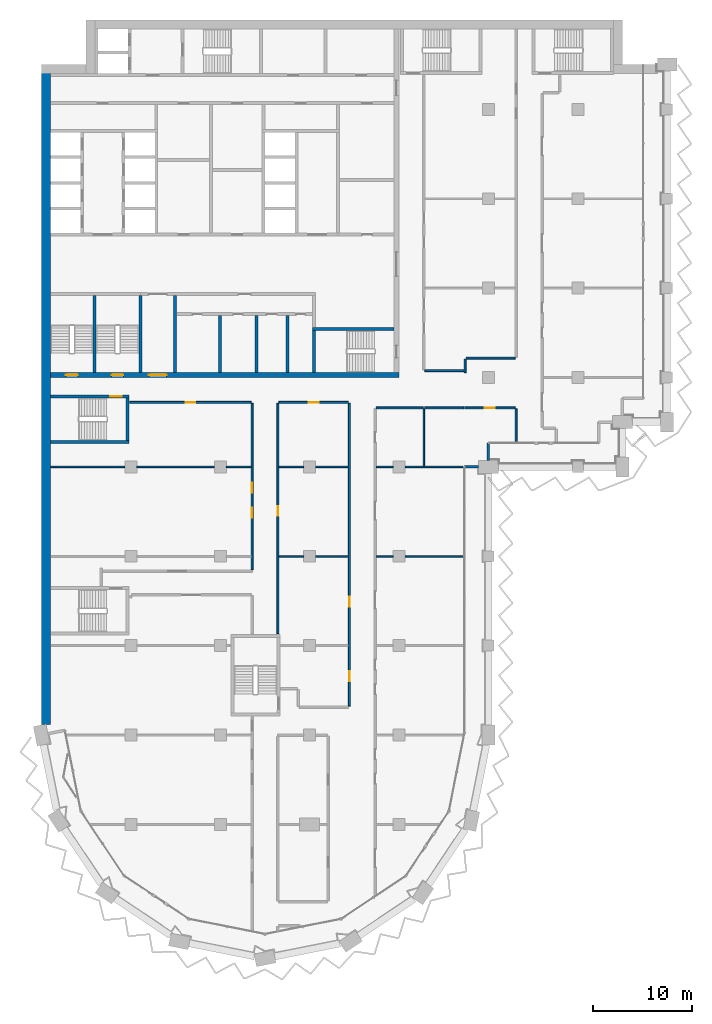
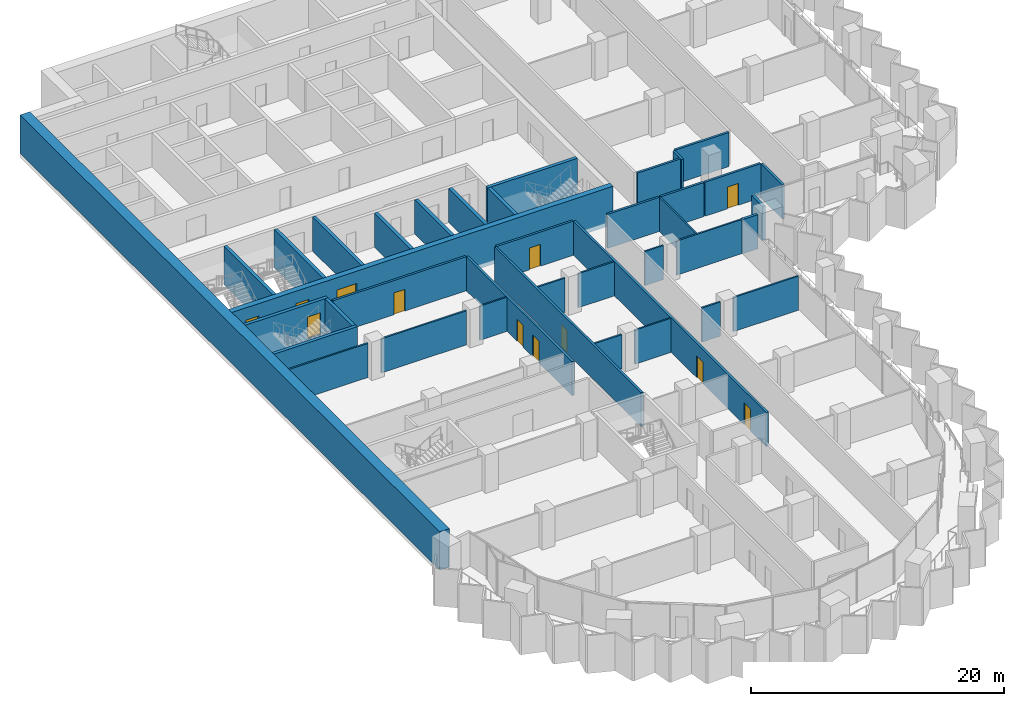
# One storey, part 12 of 23: 39 walls, 12 doors, 12 openings.
"""IFC4 building model written with IfcOpenShell, lengths in metres."""

from ifc_helpers import new_model, si_unit, direction, frame, frame_2d, origin, place, context, subcontext, project, spatial, rectangle, extrude, material, layer, layer_set, type_object, element, fill, save


model = new_model("IFC4")

# Units and contexts
model_context = context("Model", 3, precision=1e-05, world=origin(), true_north=direction((0.0, 1.0)))
body_context = subcontext(model_context, "Body", "Model", "MODEL_VIEW")
ifc_project = project(units=[si_unit("LENGTHUNIT", "METRE"), si_unit("AREAUNIT", "SQUARE_METRE"), si_unit("VOLUMEUNIT", "CUBIC_METRE"), si_unit("PLANEANGLEUNIT", "RADIAN"), si_unit("MASSUNIT", "GRAM", prefix="KILO")], contexts=[model_context])

# Site, building, storey
site_placement = place(None, origin())
site = spatial("IfcSite", under=ifc_project, at=site_placement, CompositionType="ELEMENT")
building_placement = place(site_placement, origin())
building = spatial("IfcBuilding", under=site, at=building_placement, Name="Hunhe Ridgeline Campus", CompositionType="ELEMENT")
storey_placement = place(building_placement, frame((0.0, 0.0, 167.10009765625)))
storey = spatial("IfcBuildingStorey", under=building, at=storey_placement, Name="L42", CompositionType="ELEMENT", Elevation=167.10009765625)

# Walls
ifc_material_1 = material(Name="Masonry concrete blockwork", Category="masonry")
ifc_layer_1 = layer(ifc_material_1, 0.300048828125)
ifc_layer_set_1 = layer_set([ifc_layer_1], Name="Core room partition 300 concrete block")
wall_type_1 = type_object("IfcWallType", Name="Core room partition 300 concrete block", PredefinedType="PARTITIONING", material=ifc_layer_set_1)
wall_1_placement = place(storey_placement, frame((13.449951171875, 63.5, 0.0), z_axis=(0.0, 0.0, 1.0), x_axis=(0.0, 1.0, 0.0)))
element("IfcWall", 1, at=wall_1_placement, inside=storey, type_object=wall_type_1, Name="L42 core partition 43", PredefinedType="PARTITIONING", context=body_context, shape_type="SweptSolid", body=[
    extrude(rectangle(XDim=7.75, YDim=0.300048828125, at=frame_2d((3.875, 0.0))), origin(), (0.0, 0.0, 1.0), 3.2998046875),
])
for number, where, z_axis, x_axis, name in (
    (2, (17.949951171875, 63.5, 0.0), (0.0, 0.0, 1.0), (0.0, 1.0, 0.0), "L42 core partition 46"),
    (3, (21.64990234375, 63.5, 0.0), (0.0, 0.0, 1.0), (0.0, 1.0, 0.0), "L42 core partition 48"),
    (4, (24.75, 63.5, 0.0), (0.0, 0.0, 1.0), (0.0, 1.0, 0.0), "L42 core partition 53"),
):
    element("IfcWall", number, at=place(storey_placement, frame(where, z_axis=z_axis, x_axis=x_axis)), inside=storey, type_object=wall_type_1, Name=name, PredefinedType="PARTITIONING", context=body_context, shape_type="SweptSolid", body=[
        extrude(rectangle(XDim=5.75, YDim=0.300048828125, at=frame_2d((2.875, 0.0))), origin(), (0.0, 0.0, 1.0), 3.2998046875),
    ])

# Wall, openings, doors
ifc_material_2 = material(Name="Concrete C70", Category="concrete")
ifc_layer_2 = layer(ifc_material_2, 0.5)
ifc_layer_set_2 = layer_set([ifc_layer_2], Name="Core wall 500 reinforced concrete C70")
wall_type_2 = type_object("IfcWallType", Name="Core wall 500 reinforced concrete C70", PredefinedType="SOLIDWALL", material=ifc_layer_set_2)
wall_2_placement = place(storey_placement, frame((0.89990234375, 63.25, -0.400146484375), z_axis=(0.0, 0.0, 1.0), x_axis=(1.0, 0.0, 0.0)))
wall_2 = element("IfcWall", 5, at=wall_2_placement, inside=storey, type_object=wall_type_2, Name="L42 core wall 7", PredefinedType="SOLIDWALL", context=body_context, shape_type="SweptSolid", body=[
    extrude(rectangle(XDim=35.10009765625, YDim=0.5, at=frame_2d((17.550048828125, 0.0))), origin(), (0.0, 0.0, 1.0), 3.699951171875),
])
opening_1_placement = place(wall_2_placement, frame((9.89990234375, 0.0, 0.39990234375)))
opening_1 = element("IfcOpeningElement", 6, at=opening_1_placement, cuts=wall_2, Name="Opening CD6", PredefinedType="OPENING", context=body_context, shape_type="SweptSolid", body=[
    extrude(rectangle(XDim=1.800048828125, YDim=2.10009765625, at=frame_2d((0.89990234375, 1.050048828125))), frame((0.0, 0.25, 0.0), z_axis=(0.0, -1.0, 0.0), x_axis=(1.0, 0.0, 0.0)), (0.0, 0.0, 1.0), 0.5),
])
opening_2_placement = place(wall_2_placement, frame((1.550048828125, 0.0, 0.39990234375)))
opening_2 = element("IfcOpeningElement", 7, at=opening_2_placement, cuts=wall_2, Name="Opening CD13", PredefinedType="OPENING", context=body_context, shape_type="SweptSolid", body=[
    extrude(rectangle(XDim=1.199951171875, YDim=2.10009765625, at=frame_2d((0.60009765625, 1.050048828125))), frame((0.0, 0.25, 0.0), z_axis=(0.0, -1.0, 0.0), x_axis=(1.0, 0.0, 0.0)), (0.0, 0.0, 1.0), 0.5),
])
opening_3_placement = place(wall_2_placement, frame((6.14990234375, 0.0, 0.39990234375)))
opening_3 = element("IfcOpeningElement", 8, at=opening_3_placement, cuts=wall_2, Name="Opening CD14", PredefinedType="OPENING", context=body_context, shape_type="SweptSolid", body=[
    extrude(rectangle(XDim=1.199951171875, YDim=2.10009765625, at=frame_2d((0.60009765625, 1.050048828125))), frame((0.0, 0.25, 0.0), z_axis=(0.0, -1.0, 0.0), x_axis=(1.0, 0.0, 0.0)), (0.0, 0.0, 1.0), 0.5),
])
ifc_material_3 = material(Name="Anodised aluminium and glass", Category="aluminium")
door_type_1 = type_object("IfcDoorType", Name="Glazed double door 1800x2100", OperationType="DOUBLE_DOOR_SINGLE_SWING", PredefinedType="DOOR", material=ifc_material_3)
door_1_placement = place(opening_1_placement, frame((1.800048828125, 0.0, 0.0), z_axis=(0.0, 0.0, 1.0), x_axis=(-1.0, 0.0, 0.0)))
door_1 = element("IfcDoor", 9, at=door_1_placement, inside=storey, type_object=door_type_1, Name="L42 door VEST-FLOOR", OperationType="DOUBLE_DOOR_SINGLE_SWING", OverallHeight=2.10009765625, OverallWidth=1.800048828125, PredefinedType="DOOR", context=body_context, shape_type="SweptSolid", body=[
    extrude(rectangle(XDim=1.800048828125, YDim=2.10009765625, at=frame_2d((0.89990234375, 1.050048828125))), frame((0.0, 0.02490234375, 0.0), z_axis=(0.0, -1.0, 0.0), x_axis=(1.0, 0.0, 0.0)), (0.0, 0.0, 1.0), 0.050048828125),
])
fill(opening_1, door_1)
ifc_material_4 = material(Name="Hollow metal fire door leaf")
door_type_2 = type_object("IfcDoorType", Name="Stair door 1200x2100 FD60", OperationType="SINGLE_SWING_LEFT", PredefinedType="DOOR", material=ifc_material_4)
door_2_placement = place(opening_2_placement, frame((1.199951171875, 0.0, 0.0), z_axis=(0.0, 0.0, 1.0), x_axis=(-1.0, 0.0, 0.0)))
door_2 = element("IfcDoor", 10, at=door_2_placement, inside=storey, type_object=door_type_2, Name="L42 door S3", OperationType="SINGLE_SWING_RIGHT", OverallHeight=2.10009765625, OverallWidth=1.199951171875, PredefinedType="DOOR", context=body_context, shape_type="SweptSolid", body=[
    extrude(rectangle(XDim=1.199951171875, YDim=2.10009765625, at=frame_2d((0.60009765625, 1.050048828125))), frame((0.0, 0.02490234375, 0.0), z_axis=(0.0, -1.0, 0.0), x_axis=(1.0, 0.0, 0.0)), (0.0, 0.0, 1.0), 0.050048828125),
])
fill(opening_2, door_2)
door_3_placement = place(opening_3_placement, frame((1.199951171875, 0.0, 0.0), z_axis=(0.0, 0.0, 1.0), x_axis=(-1.0, 0.0, 0.0)))
door_3 = element("IfcDoor", 11, at=door_3_placement, inside=storey, type_object=door_type_2, Name="L42 door S4", OperationType="SINGLE_SWING_LEFT", OverallHeight=2.10009765625, OverallWidth=1.199951171875, PredefinedType="DOOR", context=body_context, shape_type="SweptSolid", body=[
    extrude(rectangle(XDim=1.199951171875, YDim=2.10009765625, at=frame_2d((0.60009765625, 1.050048828125))), frame((0.0, 0.02490234375, 0.0), z_axis=(0.0, -1.0, 0.0), x_axis=(1.0, 0.0, 0.0)), (0.0, 0.0, 1.0), 0.050048828125),
])
fill(opening_3, door_3)

# Walls
ifc_material_5 = material(Name="Concrete C30", Category="concrete")
ifc_layer_3 = layer(ifc_material_5, 0.25)
ifc_layer_set_3 = layer_set([ifc_layer_3], Name="Corner return wall 250 Concrete C30")
wall_type_3 = type_object("IfcWallType", Name="Corner return wall 250 Concrete C30", PredefinedType="SOLIDWALL", material=ifc_layer_set_3)
wall_3_placement = place(storey_placement, frame((42.59912109375, 54.00048828125, 0.0), z_axis=(0.0, 0.0, 1.0), x_axis=(0.999999984814, 0.000174276749, 0.0)))
element("IfcWall", 12, at=wall_3_placement, inside=storey, type_object=wall_type_3, Name="Corner return wall 2", PredefinedType="SOLIDWALL", context=body_context, shape_type="SweptSolid", body=[
    extrude(rectangle(XDim=1.40087890625, YDim=0.25, at=frame_2d((0.700439453125, 0.0))), origin(), (0.0, 0.0, 1.0), 3.2998046875),
])
wall_4_placement = place(storey_placement, frame((44.999267578125, 54.64990234375, 0.0), z_axis=(0.0, 0.0, 1.0), x_axis=(0.000278862231, 0.999999961118, 0.0)))
element("IfcWall", 13, at=wall_4_placement, inside=storey, type_object=wall_type_3, Name="Corner return wall 3", PredefinedType="SOLIDWALL", context=body_context, shape_type="SweptSolid", body=[
    extrude(rectangle(XDim=1.7509765625, YDim=0.25, at=frame_2d((0.87548828125, 0.0))), origin(), (0.0, 0.0, 1.0), 3.2998046875),
])
ifc_material_6 = material(Name="Gypsum board partition")
ifc_layer_4 = layer(ifc_material_6, 0.199951171875)
ifc_layer_set_4 = layer_set([ifc_layer_4], Name="Corridor partition 200 gypsum board on steel studs")
wall_type_4 = type_object("IfcWallType", Name="Corridor partition 200 gypsum board on steel studs", PredefinedType="PARTITIONING", material=ifc_layer_set_4)
wall_5_placement = place(storey_placement, frame((38.425048828125, 59.950927734375, 0.0), z_axis=(0.0, 0.0, 1.0), x_axis=(-1.0, 0.0, 0.0)))
element("IfcWall", 14, at=wall_5_placement, inside=storey, type_object=wall_type_4, Name="F-L42-wall-043", PredefinedType="PARTITIONING", context=body_context, shape_type="SweptSolid", body=[
    extrude(rectangle(XDim=4.72509765625, YDim=0.199951171875, at=frame_2d((2.362548828125, 0.0))), origin(), (0.0, 0.0, 1.0), 3.2998046875),
])
wall_6_placement = place(storey_placement, frame((42.5, 59.950927734375, 0.0), z_axis=(0.0, 0.0, 1.0), x_axis=(-1.0, 0.0, 0.0)))
element("IfcWall", 15, at=wall_6_placement, inside=storey, type_object=wall_type_4, Name="F-L42-wall-044", PredefinedType="PARTITIONING", context=body_context, shape_type="SweptSolid", body=[
    extrude(rectangle(XDim=3.925048828125, YDim=0.199951171875, at=frame_2d((1.96240234375, 0.0))), origin(), (0.0, 0.0, 1.0), 3.2998046875),
])

# Wall, opening, door
wall_7_placement = place(storey_placement, frame((47.699951171875, 59.950927734375, 0.0), z_axis=(0.0, 0.0, 1.0), x_axis=(-1.0, 0.0, 0.0)))
wall_7 = element("IfcWall", 16, at=wall_7_placement, inside=storey, type_object=wall_type_4, Name="F-L42-wall-045", PredefinedType="PARTITIONING", context=body_context, shape_type="SweptSolid", body=[
    extrude(rectangle(XDim=5.099853515625, YDim=0.199951171875, at=frame_2d((2.5498046875, 0.0))), origin(), (0.0, 0.0, 1.0), 3.2998046875),
])
opening_4_placement = place(wall_7_placement, frame((2.050048828125, 0.0, 0.0)))
opening_4 = element("IfcOpeningElement", 17, at=opening_4_placement, cuts=wall_7, Name="Opening RD1-023", PredefinedType="OPENING", context=body_context, shape_type="SweptSolid", body=[
    extrude(rectangle(XDim=1.0, YDim=2.10009765625, at=frame_2d((0.5, 1.050048828125))), frame((0.0, 0.10009765625, 0.0), z_axis=(0.0, -1.0, 0.0), x_axis=(1.0, 0.0, 0.0)), (0.0, 0.0, 1.0), 0.199951171875),
])
ifc_material_7 = material(Name="Timber door leaf", Category="wood")
door_type_3 = type_object("IfcDoorType", Name="Single fire door 1000x2100 timber FD60", OperationType="NOTDEFINED", PredefinedType="DOOR", material=ifc_material_7)
door_4_placement = place(opening_4_placement, origin())
door_4 = element("IfcDoor", 18, at=door_4_placement, inside=storey, type_object=door_type_3, Name="F-L42-door-023", OperationType="SINGLE_SWING_LEFT", OverallHeight=2.10009765625, OverallWidth=1.0, PredefinedType="DOOR", context=body_context, shape_type="SweptSolid", body=[
    extrude(rectangle(XDim=1.0, YDim=2.10009765625, at=frame_2d((0.5, 1.050048828125))), frame((0.0, 0.02490234375, 0.0), z_axis=(0.0, -1.0, 0.0), x_axis=(1.0, 0.0, 0.0)), (0.0, 0.0, 1.0), 0.050048828125),
])
fill(opening_4, door_4)

wall_8_placement = place(storey_placement, frame((21.10009765625, 60.5, 0.0), z_axis=(0.0, 0.0, 1.0), x_axis=(-1.0, 0.0, 0.0)))
wall_8 = element("IfcWall", 19, at=wall_8_placement, inside=storey, type_object=wall_type_4, Name="F-L42-wall-046", PredefinedType="PARTITIONING", context=body_context, shape_type="SweptSolid", body=[
    extrude(rectangle(XDim=12.196044921875, YDim=0.199951171875, at=frame_2d((6.09814453125, 0.0))), origin(), (0.0, 0.0, 1.0), 3.2998046875),
])
opening_5_placement = place(wall_8_placement, frame((5.597900390625, 0.0, 0.0)))
opening_5 = element("IfcOpeningElement", 20, at=opening_5_placement, cuts=wall_8, Name="Opening RD1-024", PredefinedType="OPENING", context=body_context, shape_type="SweptSolid", body=[
    extrude(rectangle(XDim=1.0, YDim=2.10009765625, at=frame_2d((0.5, 1.050048828125))), frame((0.0, 0.10009765625, 0.0), z_axis=(0.0, -1.0, 0.0), x_axis=(1.0, 0.0, 0.0)), (0.0, 0.0, 1.0), 0.199951171875),
])
door_5_placement = place(opening_5_placement, origin())
door_5 = element("IfcDoor", 21, at=door_5_placement, inside=storey, type_object=door_type_3, Name="F-L42-door-024", OperationType="SINGLE_SWING_LEFT", OverallHeight=2.10009765625, OverallWidth=1.0, PredefinedType="DOOR", context=body_context, shape_type="SweptSolid", body=[
    extrude(rectangle(XDim=1.0, YDim=2.10009765625, at=frame_2d((0.5, 1.050048828125))), frame((0.0, 0.02490234375, 0.0), z_axis=(0.0, -1.0, 0.0), x_axis=(1.0, 0.0, 0.0)), (0.0, 0.0, 1.0), 0.050048828125),
])
fill(opening_5, door_5)

wall_9_placement = place(storey_placement, frame((30.89990234375, 60.5, 0.0), z_axis=(0.0, 0.0, 1.0), x_axis=(-1.0, 0.0, 0.0)))
wall_9 = element("IfcWall", 22, at=wall_9_placement, inside=storey, type_object=wall_type_4, Name="F-L42-wall-047", PredefinedType="PARTITIONING", context=body_context, shape_type="SweptSolid", body=[
    extrude(rectangle(XDim=7.0, YDim=0.199951171875, at=frame_2d((3.5, 0.0))), origin(), (0.0, 0.0, 1.0), 3.2998046875),
])
opening_6_placement = place(wall_9_placement, frame((3.0, 0.0, 0.0)))
opening_6 = element("IfcOpeningElement", 23, at=opening_6_placement, cuts=wall_9, Name="Opening RD1-025", PredefinedType="OPENING", context=body_context, shape_type="SweptSolid", body=[
    extrude(rectangle(XDim=1.0, YDim=2.10009765625, at=frame_2d((0.5, 1.050048828125))), frame((0.0, 0.10009765625, 0.0), z_axis=(0.0, -1.0, 0.0), x_axis=(1.0, 0.0, 0.0)), (0.0, 0.0, 1.0), 0.199951171875),
])
door_6_placement = place(opening_6_placement, origin())
door_6 = element("IfcDoor", 24, at=door_6_placement, inside=storey, type_object=door_type_3, Name="F-L42-door-025", OperationType="SINGLE_SWING_RIGHT", OverallHeight=2.10009765625, OverallWidth=1.0, PredefinedType="DOOR", context=body_context, shape_type="SweptSolid", body=[
    extrude(rectangle(XDim=1.0, YDim=2.10009765625, at=frame_2d((0.5, 1.050048828125))), frame((0.0, 0.02490234375, 0.0), z_axis=(0.0, -1.0, 0.0), x_axis=(1.0, 0.0, 0.0)), (0.0, 0.0, 1.0), 0.050048828125),
])
fill(opening_6, door_6)

# Walls
wall_10_placement = place(storey_placement, frame((38.60009765625, 63.699951171875, 0.0), z_axis=(0.0, 0.0, 1.0), x_axis=(1.0, 0.0, 0.0)))
element("IfcWall", 25, at=wall_10_placement, inside=storey, type_object=wall_type_4, Name="F-L42-wall-050", PredefinedType="PARTITIONING", context=body_context, shape_type="SweptSolid", body=[
    extrude(rectangle(XDim=3.949951171875, YDim=0.199951171875, at=frame_2d((1.97509765625, 0.0))), origin(), (0.0, 0.0, 1.0), 3.2998046875),
])
wall_11_placement = place(storey_placement, frame((42.75, 64.949951171875, 0.0), z_axis=(0.0, 0.0, 1.0), x_axis=(1.0, 0.0, 0.0)))
element("IfcWall", 26, at=wall_11_placement, inside=storey, type_object=wall_type_4, Name="F-L42-wall-051", PredefinedType="PARTITIONING", context=body_context, shape_type="SweptSolid", body=[
    extrude(rectangle(XDim=4.949951171875, YDim=0.199951171875, at=frame_2d((2.47509765625, 0.0))), origin(), (0.0, 0.0, 1.0), 3.2998046875),
])

# Wall, openings, doors
wall_12_placement = place(storey_placement, frame((21.199951171875, 43.6474609375, 0.0), z_axis=(0.0, 0.0, 1.0), x_axis=(0.0, 1.0, 0.0)))
wall_12 = element("IfcWall", 27, at=wall_12_placement, inside=storey, type_object=wall_type_4, Name="F-L42-wall-065", PredefinedType="PARTITIONING", context=body_context, shape_type="SweptSolid", body=[
    extrude(rectangle(XDim=16.75244140625, YDim=0.199951171875, at=frame_2d((8.376220703125, 0.0))), origin(), (0.0, 0.0, 1.0), 3.2998046875),
])
opening_7_placement = place(wall_12_placement, frame((5.250732421875, 0.0, 0.0)))
opening_7 = element("IfcOpeningElement", 28, at=opening_7_placement, cuts=wall_12, Name="Opening RD1-018", PredefinedType="OPENING", context=body_context, shape_type="SweptSolid", body=[
    extrude(rectangle(XDim=1.0, YDim=2.10009765625, at=frame_2d((0.5, 1.050048828125))), frame((0.0, 0.10009765625, 0.0), z_axis=(0.0, -1.0, 0.0), x_axis=(1.0, 0.0, 0.0)), (0.0, 0.0, 1.0), 0.199951171875),
])
opening_8_placement = place(wall_12_placement, frame((7.750732421875, 0.0, 0.0)))
opening_8 = element("IfcOpeningElement", 29, at=opening_8_placement, cuts=wall_12, Name="Opening RD1-021", PredefinedType="OPENING", context=body_context, shape_type="SweptSolid", body=[
    extrude(rectangle(XDim=1.0, YDim=2.10009765625, at=frame_2d((0.5, 1.050048828125))), frame((0.0, 0.10009765625, 0.0), z_axis=(0.0, -1.0, 0.0), x_axis=(1.0, 0.0, 0.0)), (0.0, 0.0, 1.0), 0.199951171875),
])
door_7_placement = place(opening_7_placement, frame((1.0, 0.0, 0.0), z_axis=(0.0, 0.0, 1.0), x_axis=(-1.0, 0.0, 0.0)))
door_7 = element("IfcDoor", 30, at=door_7_placement, inside=storey, type_object=door_type_3, Name="F-L42-door-018", OperationType="SINGLE_SWING_LEFT", OverallHeight=2.10009765625, OverallWidth=1.0, PredefinedType="DOOR", context=body_context, shape_type="SweptSolid", body=[
    extrude(rectangle(XDim=1.0, YDim=2.10009765625, at=frame_2d((0.5, 1.050048828125))), frame((0.0, 0.02490234375, 0.0), z_axis=(0.0, -1.0, 0.0), x_axis=(1.0, 0.0, 0.0)), (0.0, 0.0, 1.0), 0.050048828125),
])
fill(opening_7, door_7)
door_8_placement = place(opening_8_placement, frame((1.0, 0.0, 0.0), z_axis=(0.0, 0.0, 1.0), x_axis=(-1.0, 0.0, 0.0)))
door_8 = element("IfcDoor", 31, at=door_8_placement, inside=storey, type_object=door_type_3, Name="F-L42-door-021", OperationType="SINGLE_SWING_LEFT", OverallHeight=2.10009765625, OverallWidth=1.0, PredefinedType="DOOR", context=body_context, shape_type="SweptSolid", body=[
    extrude(rectangle(XDim=1.0, YDim=2.10009765625, at=frame_2d((0.5, 1.050048828125))), frame((0.0, 0.02490234375, 0.0), z_axis=(0.0, -1.0, 0.0), x_axis=(1.0, 0.0, 0.0)), (0.0, 0.0, 1.0), 0.050048828125),
])
fill(opening_8, door_8)

# Wall, opening, door
wall_13_placement = place(storey_placement, frame((23.800048828125, 60.39990234375, 0.0), z_axis=(0.0, 0.0, 1.0), x_axis=(0.0, -1.0, 0.0)))
wall_13 = element("IfcWall", 32, at=wall_13_placement, inside=storey, type_object=wall_type_4, Name="F-L42-wall-068", PredefinedType="PARTITIONING", context=body_context, shape_type="SweptSolid", body=[
    extrude(rectangle(XDim=23.19580078125, YDim=0.199951171875, at=frame_2d((11.597900390625, 0.0))), origin(), (0.0, 0.0, 1.0), 3.2998046875),
])
opening_9_placement = place(wall_13_placement, frame((10.341552734375, 0.0, 0.0)))
opening_9 = element("IfcOpeningElement", 33, at=opening_9_placement, cuts=wall_13, Name="Opening RD1-019", PredefinedType="OPENING", context=body_context, shape_type="SweptSolid", body=[
    extrude(rectangle(XDim=1.0, YDim=2.10009765625, at=frame_2d((0.5, 1.050048828125))), frame((0.0, 0.10009765625, 0.0), z_axis=(0.0, -1.0, 0.0), x_axis=(1.0, 0.0, 0.0)), (0.0, 0.0, 1.0), 0.199951171875),
])
door_9_placement = place(opening_9_placement, origin())
door_9 = element("IfcDoor", 34, at=door_9_placement, inside=storey, type_object=door_type_3, Name="F-L42-door-019", OperationType="SINGLE_SWING_RIGHT", OverallHeight=2.10009765625, OverallWidth=1.0, PredefinedType="DOOR", context=body_context, shape_type="SweptSolid", body=[
    extrude(rectangle(XDim=1.0, YDim=2.10009765625, at=frame_2d((0.5, 1.050048828125))), frame((0.0, 0.02490234375, 0.0), z_axis=(0.0, -1.0, 0.0), x_axis=(1.0, 0.0, 0.0)), (0.0, 0.0, 1.0), 0.050048828125),
])
fill(opening_9, door_9)

# Wall, openings, doors
wall_14_placement = place(storey_placement, frame((31.0, 29.89892578125, 0.0), z_axis=(0.0, 0.0, 1.0), x_axis=(0.0, 1.0, 0.0)))
wall_14 = element("IfcWall", 35, at=wall_14_placement, inside=storey, type_object=wall_type_4, Name="F-L42-wall-071", PredefinedType="PARTITIONING", context=body_context, shape_type="SweptSolid", body=[
    extrude(rectangle(XDim=30.5009765625, YDim=0.199951171875, at=frame_2d((15.25048828125, 0.0))), origin(), (0.0, 0.0, 1.0), 3.2998046875),
])
opening_10_placement = place(wall_14_placement, frame((2.5, 0.0, 0.0)))
opening_10 = element("IfcOpeningElement", 36, at=opening_10_placement, cuts=wall_14, Name="Opening RD1-012", PredefinedType="OPENING", context=body_context, shape_type="SweptSolid", body=[
    extrude(rectangle(XDim=1.0, YDim=2.10009765625, at=frame_2d((0.5, 1.050048828125))), frame((0.0, 0.10009765625, 0.0), z_axis=(0.0, -1.0, 0.0), x_axis=(1.0, 0.0, 0.0)), (0.0, 0.0, 1.0), 0.199951171875),
])
opening_11_placement = place(wall_14_placement, frame((10.000244140625, 0.0, 0.0)))
opening_11 = element("IfcOpeningElement", 37, at=opening_11_placement, cuts=wall_14, Name="Opening RD1-014", PredefinedType="OPENING", context=body_context, shape_type="SweptSolid", body=[
    extrude(rectangle(XDim=1.0, YDim=2.10009765625, at=frame_2d((0.5, 1.050048828125))), frame((0.0, 0.10009765625, 0.0), z_axis=(0.0, -1.0, 0.0), x_axis=(1.0, 0.0, 0.0)), (0.0, 0.0, 1.0), 0.199951171875),
])
door_10_placement = place(opening_10_placement, origin())
door_10 = element("IfcDoor", 38, at=door_10_placement, inside=storey, type_object=door_type_3, Name="F-L42-door-012", OperationType="SINGLE_SWING_RIGHT", OverallHeight=2.10009765625, OverallWidth=1.0, PredefinedType="DOOR", context=body_context, shape_type="SweptSolid", body=[
    extrude(rectangle(XDim=1.0, YDim=2.10009765625, at=frame_2d((0.5, 1.050048828125))), frame((0.0, 0.02490234375, 0.0), z_axis=(0.0, -1.0, 0.0), x_axis=(1.0, 0.0, 0.0)), (0.0, 0.0, 1.0), 0.050048828125),
])
fill(opening_10, door_10)
door_11_placement = place(opening_11_placement, origin())
door_11 = element("IfcDoor", 39, at=door_11_placement, inside=storey, type_object=door_type_3, Name="F-L42-door-014", OperationType="SINGLE_SWING_RIGHT", OverallHeight=2.10009765625, OverallWidth=1.0, PredefinedType="DOOR", context=body_context, shape_type="SweptSolid", body=[
    extrude(rectangle(XDim=1.0, YDim=2.10009765625, at=frame_2d((0.5, 1.050048828125))), frame((0.0, 0.02490234375, 0.0), z_axis=(0.0, -1.0, 0.0), x_axis=(1.0, 0.0, 0.0)), (0.0, 0.0, 1.0), 0.050048828125),
])
fill(opening_11, door_11)

# Walls
wall_15_placement = place(storey_placement, frame((42.64990234375, 63.487548828125, 0.0), z_axis=(0.0, 0.0, 1.0), x_axis=(0.0, 1.0, 0.0)))
element("IfcWall", 40, at=wall_15_placement, inside=storey, type_object=wall_type_4, Name="F-L42-wall-075", PredefinedType="PARTITIONING", context=body_context, shape_type="SweptSolid", body=[
    extrude(rectangle(XDim=1.362548828125, YDim=0.199951171875, at=frame_2d((0.68115234375, 0.0))), origin(), (0.0, 0.0, 1.0), 3.2998046875),
])
wall_16_placement = place(storey_placement, frame((47.800048828125, 56.455078125, 0.0), z_axis=(0.0, 0.0, 1.0), x_axis=(0.0, 1.0, 0.0)))
element("IfcWall", 41, at=wall_16_placement, inside=storey, type_object=wall_type_4, Name="F-L42-wall-076", PredefinedType="PARTITIONING", context=body_context, shape_type="SweptSolid", body=[
    extrude(rectangle(XDim=3.39599609375, YDim=0.199951171875, at=frame_2d((1.697998046875, 0.0))), origin(), (0.0, 0.0, 1.0), 3.2998046875),
])
ifc_layer_5 = layer(ifc_material_6, 0.14990234375)
ifc_layer_set_5 = layer_set([ifc_layer_5], Name="Room partition 150 gypsum board on steel studs")
wall_type_5 = type_object("IfcWallType", Name="Room partition 150 gypsum board on steel studs", PredefinedType="PARTITIONING", material=ifc_layer_set_5)
wall_17_placement = place(storey_placement, frame((23.89990234375, 45.0, 0.0), z_axis=(0.0, 0.0, 1.0), x_axis=(1.0, 0.0, 0.0)))
element("IfcWall", 42, at=wall_17_placement, inside=storey, type_object=wall_type_5, Name="F-L42-wall-031", PredefinedType="PARTITIONING", context=body_context, shape_type="SweptSolid", body=[
    extrude(rectangle(XDim=2.5, YDim=0.14990234375, at=frame_2d((1.25, 0.0))), origin(), (0.0, 0.0, 1.0), 3.2998046875),
])
wall_18_placement = place(storey_placement, frame((27.60009765625, 45.0, 0.0), z_axis=(0.0, 0.0, 1.0), x_axis=(1.0, 0.0, 0.0)))
element("IfcWall", 43, at=wall_18_placement, inside=storey, type_object=wall_type_5, Name="F-L42-wall-032", PredefinedType="PARTITIONING", context=body_context, shape_type="SweptSolid", body=[
    extrude(rectangle(XDim=3.2998046875, YDim=0.14990234375, at=frame_2d((1.64990234375, 0.0))), origin(), (0.0, 0.0, 1.0), 3.2998046875),
])
wall_19_placement = place(storey_placement, frame((33.699951171875, 45.0, 0.0), z_axis=(0.0, 0.0, 1.0), x_axis=(1.0, 0.0, 0.0)))
element("IfcWall", 44, at=wall_19_placement, inside=storey, type_object=wall_type_5, Name="F-L42-wall-033", PredefinedType="PARTITIONING", context=body_context, shape_type="SweptSolid", body=[
    extrude(rectangle(XDim=1.699951171875, YDim=0.14990234375, at=frame_2d((0.85009765625, 0.0))), origin(), (0.0, 0.0, 1.0), 3.2998046875),
])
wall_20_placement = place(storey_placement, frame((36.60009765625, 45.0, 0.0), z_axis=(0.0, 0.0, 1.0), x_axis=(1.0, 0.0, 0.0)))
element("IfcWall", 45, at=wall_20_placement, inside=storey, type_object=wall_type_5, Name="F-L42-wall-034", PredefinedType="PARTITIONING", context=body_context, shape_type="SweptSolid", body=[
    extrude(rectangle(XDim=5.945068359375, YDim=0.14990234375, at=frame_2d((2.97265625, 0.0))), origin(), (0.0, 0.0, 1.0), 3.2998046875),
])
wall_21_placement = place(storey_placement, frame((0.919921875, 54.0, 0.0), z_axis=(0.0, 0.0, 1.0), x_axis=(1.0, 0.0, 0.0)))
element("IfcWall", 46, at=wall_21_placement, inside=storey, type_object=wall_type_5, Name="F-L42-wall-035", PredefinedType="PARTITIONING", context=body_context, shape_type="SweptSolid", body=[
    extrude(rectangle(XDim=7.47998046875, YDim=0.14990234375, at=frame_2d((3.739990234375, 0.0))), origin(), (0.0, 0.0, 1.0), 3.2998046875),
])
wall_22_placement = place(storey_placement, frame((9.60009765625, 54.0, 0.0), z_axis=(0.0, 0.0, 1.0), x_axis=(1.0, 0.0, 0.0)))
element("IfcWall", 47, at=wall_22_placement, inside=storey, type_object=wall_type_5, Name="F-L42-wall-036", PredefinedType="PARTITIONING", context=body_context, shape_type="SweptSolid", body=[
    extrude(rectangle(XDim=7.7998046875, YDim=0.14990234375, at=frame_2d((3.89990234375, 0.0))), origin(), (0.0, 0.0, 1.0), 3.2998046875),
])
for number, where, z_axis, x_axis, name in (
    (48, (18.60009765625, 54.0, 0.0), (0.0, 0.0, 1.0), (1.0, 0.0, 0.0), "F-L42-wall-037"),
    (49, (23.89990234375, 54.0, 0.0), (0.0, 0.0, 1.0), (1.0, 0.0, 0.0), "F-L42-wall-038"),
):
    element("IfcWall", number, at=place(storey_placement, frame(where, z_axis=z_axis, x_axis=x_axis)), inside=storey, type_object=wall_type_5, Name=name, PredefinedType="PARTITIONING", context=body_context, shape_type="SweptSolid", body=[
        extrude(rectangle(XDim=2.5, YDim=0.14990234375, at=frame_2d((1.25, 0.0))), origin(), (0.0, 0.0, 1.0), 3.2998046875),
    ])
wall_23_placement = place(storey_placement, frame((27.60009765625, 54.0, 0.0), z_axis=(0.0, 0.0, 1.0), x_axis=(1.0, 0.0, 0.0)))
element("IfcWall", 50, at=wall_23_placement, inside=storey, type_object=wall_type_5, Name="F-L42-wall-039", PredefinedType="PARTITIONING", context=body_context, shape_type="SweptSolid", body=[
    extrude(rectangle(XDim=3.2998046875, YDim=0.14990234375, at=frame_2d((1.64990234375, 0.0))), origin(), (0.0, 0.0, 1.0), 3.2998046875),
])
wall_24_placement = place(storey_placement, frame((33.699951171875, 54.0, 0.0), z_axis=(0.0, 0.0, 1.0), x_axis=(1.0, 0.0, 0.0)))
element("IfcWall", 51, at=wall_24_placement, inside=storey, type_object=wall_type_5, Name="F-L42-wall-040", PredefinedType="PARTITIONING", context=body_context, shape_type="SweptSolid", body=[
    extrude(rectangle(XDim=1.699951171875, YDim=0.14990234375, at=frame_2d((0.85009765625, 0.0))), origin(), (0.0, 0.0, 1.0), 3.2998046875),
])
wall_25_placement = place(storey_placement, frame((36.60009765625, 54.0, 0.0), z_axis=(0.0, 0.0, 1.0), x_axis=(1.0, 0.0, 0.0)))
element("IfcWall", 52, at=wall_25_placement, inside=storey, type_object=wall_type_5, Name="F-L42-wall-041", PredefinedType="PARTITIONING", context=body_context, shape_type="SweptSolid", body=[
    extrude(rectangle(XDim=5.945068359375, YDim=0.14990234375, at=frame_2d((2.97265625, 0.0))), origin(), (0.0, 0.0, 1.0), 3.2998046875),
])
wall_26_placement = place(storey_placement, frame((38.5, 59.85107421875, 0.0), z_axis=(0.0, 0.0, 1.0), x_axis=(0.0, -1.0, 0.0)))
element("IfcWall", 53, at=wall_26_placement, inside=storey, type_object=wall_type_5, Name="F-L42-wall-073", PredefinedType="PARTITIONING", context=body_context, shape_type="SweptSolid", body=[
    extrude(rectangle(XDim=5.776123046875, YDim=0.14990234375, at=frame_2d((2.88818359375, 0.0))), origin(), (0.0, 0.0, 1.0), 3.2998046875),
])
ifc_layer_6 = layer(ifc_material_2, 0.89990234375)
ifc_layer_set_6 = layer_set([ifc_layer_6], Name="Spine wall 900 Concrete C70")
wall_type_6 = type_object("IfcWallType", Name="Spine wall 900 Concrete C70", PredefinedType="SHEAR", material=ifc_layer_set_6)
wall_27_placement = place(storey_placement, frame((0.449951171875, 94.5, 0.0), z_axis=(0.0, 0.0, 1.0), x_axis=(0.0, -1.0, 0.0)))
element("IfcWall", 54, at=wall_27_placement, inside=storey, type_object=wall_type_6, Name="Spine wall SW2-1 L42", PredefinedType="SHEAR", context=body_context, shape_type="SweptSolid", body=[
    extrude(rectangle(XDim=66.430419921875, YDim=0.89990234375, at=frame_2d((33.21533203125, 0.0))), origin(), (0.0, 0.0, 1.0), 3.699951171875),
])
ifc_layer_7 = layer(ifc_material_2, 0.300048828125)
ifc_layer_set_7 = layer_set([ifc_layer_7], Name="Stair wall 300 reinforced concrete C70")
wall_type_7 = type_object("IfcWallType", Name="Stair wall 300 reinforced concrete C70", PredefinedType="SOLIDWALL", material=ifc_layer_set_7)
wall_28_placement = place(storey_placement, frame((0.89990234375, 56.5, -0.400146484375), z_axis=(0.0, 0.0, 1.0), x_axis=(1.0, 0.0, 0.0)))
element("IfcWall", 55, at=wall_28_placement, inside=storey, type_object=wall_type_7, Name="L42 core wall 5", PredefinedType="SOLIDWALL", context=body_context, shape_type="SweptSolid", body=[
    extrude(rectangle(XDim=7.900146484375, YDim=0.300048828125, at=frame_2d((3.9501953125, 0.0))), origin(), (0.0, 0.0, 1.0), 3.699951171875),
])

# Wall, opening, door
wall_29_placement = place(storey_placement, frame((0.89990234375, 61.10009765625, -0.400146484375), z_axis=(0.0, 0.0, 1.0), x_axis=(1.0, 0.0, 0.0)))
wall_29 = element("IfcWall", 56, at=wall_29_placement, inside=storey, type_object=wall_type_7, Name="L42 core wall 6", PredefinedType="SOLIDWALL", context=body_context, shape_type="SweptSolid", body=[
    extrude(rectangle(XDim=7.900146484375, YDim=0.300048828125, at=frame_2d((3.9501953125, 0.0))), origin(), (0.0, 0.0, 1.0), 3.699951171875),
])
opening_12_placement = place(wall_29_placement, frame((6.0, 0.0, 0.39990234375)))
opening_12 = element("IfcOpeningElement", 57, at=opening_12_placement, cuts=wall_29, Name="Opening CD22", PredefinedType="OPENING", context=body_context, shape_type="SweptSolid", body=[
    extrude(rectangle(XDim=1.199951171875, YDim=2.10009765625, at=frame_2d((0.60009765625, 1.050048828125))), frame((0.0, 0.14990234375, 0.0), z_axis=(0.0, -1.0, 0.0), x_axis=(1.0, 0.0, 0.0)), (0.0, 0.0, 1.0), 0.300048828125),
])
door_12_placement = place(opening_12_placement, origin())
door_12 = element("IfcDoor", 58, at=door_12_placement, inside=storey, type_object=door_type_2, Name="L42 door W2", OperationType="SINGLE_SWING_RIGHT", OverallHeight=2.10009765625, OverallWidth=1.199951171875, PredefinedType="DOOR", context=body_context, shape_type="SweptSolid", body=[
    extrude(rectangle(XDim=1.199951171875, YDim=2.10009765625, at=frame_2d((0.60009765625, 1.050048828125))), frame((0.0, 0.02490234375, 0.0), z_axis=(0.0, -1.0, 0.0), x_axis=(1.0, 0.0, 0.0)), (0.0, 0.0, 1.0), 0.050048828125),
])
fill(opening_12, door_12)

# Walls
wall_30_placement = place(storey_placement, frame((27.300048828125, 67.89990234375, -0.400146484375), z_axis=(0.0, 0.0, 1.0), x_axis=(1.0, 0.0, 0.0)))
element("IfcWall", 59, at=wall_30_placement, inside=storey, type_object=wall_type_7, Name="L42 core wall 8", PredefinedType="SOLIDWALL", context=body_context, shape_type="SweptSolid", body=[
    extrude(rectangle(XDim=8.199951171875, YDim=0.300048828125, at=frame_2d((4.10009765625, 0.0))), origin(), (0.0, 0.0, 1.0), 3.699951171875),
])
wall_31_placement = place(storey_placement, frame((5.35009765625, 63.5, -0.400146484375), z_axis=(0.0, 0.0, 1.0), x_axis=(0.0, 1.0, 0.0)))
element("IfcWall", 60, at=wall_31_placement, inside=storey, type_object=wall_type_7, Name="L42 core wall 34", PredefinedType="SOLIDWALL", context=body_context, shape_type="SweptSolid", body=[
    extrude(rectangle(XDim=7.75, YDim=0.300048828125, at=frame_2d((3.875, 0.0))), origin(), (0.0, 0.0, 1.0), 3.699951171875),
])
wall_32_placement = place(storey_placement, frame((8.64990234375, 56.64990234375, -0.400146484375), z_axis=(0.0, 0.0, 1.0), x_axis=(0.0, 1.0, 0.0)))
element("IfcWall", 61, at=wall_32_placement, inside=storey, type_object=wall_type_7, Name="L42 core wall 38", PredefinedType="SOLIDWALL", context=body_context, shape_type="SweptSolid", body=[
    extrude(rectangle(XDim=4.300048828125, YDim=0.300048828125, at=frame_2d((2.14990234375, 0.0))), origin(), (0.0, 0.0, 1.0), 3.699951171875),
])
wall_33_placement = place(storey_placement, frame((9.949951171875, 63.5, -0.400146484375), z_axis=(0.0, 0.0, 1.0), x_axis=(0.0, 1.0, 0.0)))
element("IfcWall", 62, at=wall_33_placement, inside=storey, type_object=wall_type_7, Name="L42 core wall 40", PredefinedType="SOLIDWALL", context=body_context, shape_type="SweptSolid", body=[
    extrude(rectangle(XDim=7.75, YDim=0.300048828125, at=frame_2d((3.875, 0.0))), origin(), (0.0, 0.0, 1.0), 3.699951171875),
])
wall_34_placement = place(storey_placement, frame((27.449951171875, 63.5, -0.400146484375), z_axis=(0.0, 0.0, 1.0), x_axis=(0.0, 1.0, 0.0)))
element("IfcWall", 63, at=wall_34_placement, inside=storey, type_object=wall_type_7, Name="L42 core wall 55", PredefinedType="SOLIDWALL", context=body_context, shape_type="SweptSolid", body=[
    extrude(rectangle(XDim=4.25, YDim=0.300048828125, at=frame_2d((2.125, 0.0))), origin(), (0.0, 0.0, 1.0), 3.699951171875),
])

save(model, "model.ifc")
